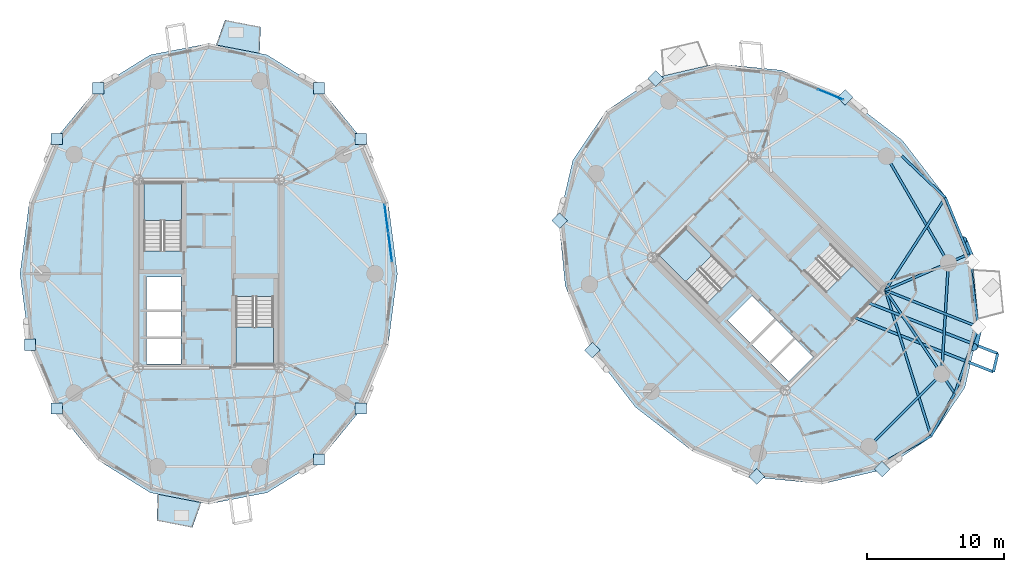
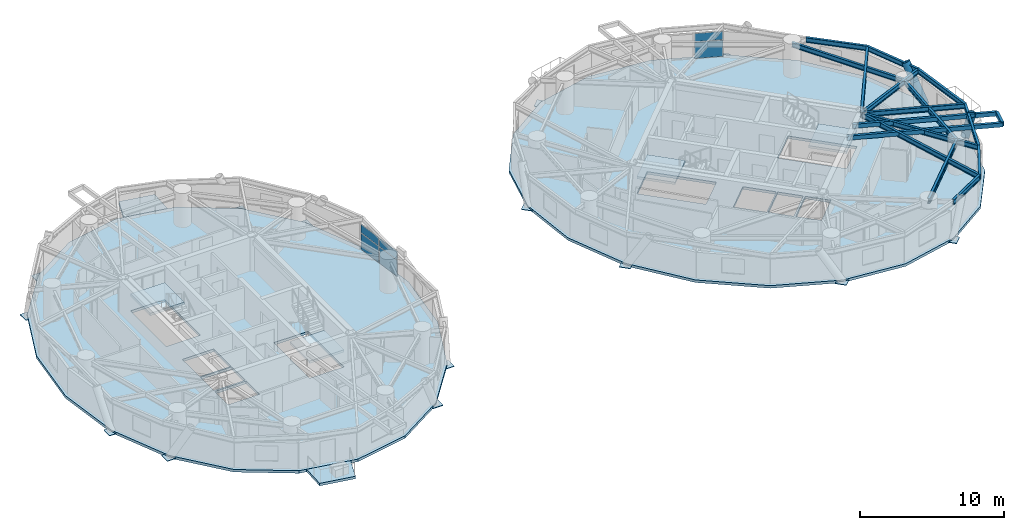
# One storey, part 8 of 19: 20 plates, 17 beams, 8 slabs, 2 members, 6 elements without a shape of their own.
"""IFC4 building model written with IfcOpenShell, lengths in metres."""

from ifc_helpers import new_model, si_unit, direction, frame, origin, origin_2d, place, context, subcontext, project, spatial, polyline, rectangle, hollow_rectangle, hollow_circle, i_section, outline, extrude, source, transform, mapped, material, layer, layer_set, material_profile, profile_set, type_object, element, aggregate, save


model = new_model("IFC4")

# Units and contexts
model_context = context("Model", 3, precision=1e-05, world=origin(), true_north=direction((0.0, 1.0)))
body_context = subcontext(model_context, "Body", "Model", "MODEL_VIEW")
ifc_project = project(units=[si_unit("LENGTHUNIT", "METRE"), si_unit("AREAUNIT", "SQUARE_METRE"), si_unit("VOLUMEUNIT", "CUBIC_METRE"), si_unit("PLANEANGLEUNIT", "RADIAN"), si_unit("MASSUNIT", "GRAM", prefix="KILO")], contexts=[model_context])

# Site, building, storey
site_placement = place(None, origin())
site = spatial("IfcSite", under=ifc_project, at=site_placement, CompositionType="ELEMENT")
building_placement = place(site_placement, origin())
building = spatial("IfcBuilding", under=site, at=building_placement, Name="Cununo Teusaquillo Station Towers", CompositionType="ELEMENT")
storey_placement = place(building_placement, frame((0.0, 0.0, 177.7900390625)))
storey = spatial("IfcBuildingStorey", under=building, at=storey_placement, Name="L56", CompositionType="ELEMENT", Elevation=177.7900390625)

# Beams
ifc_material_1 = material(Name="Steel EN 10025-2 S355J2", Category="steel")
ifc_material_profile_1 = material_profile(ifc_material_1, hollow_rectangle(XDim=0.199951171875, YDim=0.35009765625, WallThickness=0.013916015625, at=origin_2d()), Name="RHS 350x200x14")
ifc_profile_set_1 = profile_set([ifc_material_profile_1], Name="Steel EN 10025-2 S355J2")
beam_type_1 = type_object("IfcBeamType", Name="BM-BAL-CANT", PredefinedType="BEAM", material=ifc_profile_set_1)
beam_1_placement = place(storey_placement, frame((63.726318359375, 21.32177734375, 2.514892578125), z_axis=(0.93089493429, -0.36528703962, 0.0), x_axis=(0.36528703962, 0.93089493429, 0.0)))
element("IfcBeam", 1, at=beam_1_placement, inside=storey, type_object=beam_type_1, Name="L56 Tower B Balcony Cantilever Bracket 2A", PredefinedType="BEAM", context=body_context, shape_type="SweptSolid", body=[
    extrude(hollow_rectangle(XDim=0.199951171875, YDim=0.35009765625, WallThickness=0.013916015625, at=origin_2d()), origin(), (0.0, 0.0, 1.0), 10.958984375),
])
beam_2_placement = place(storey_placement, frame((64.781982421875, 22.377685546875, 2.514892578125), z_axis=(0.930897128362, -0.365281448211, 0.0), x_axis=(0.365281448211, 0.930897128362, 0.0)))
element("IfcBeam", 2, at=beam_2_placement, inside=storey, type_object=beam_type_1, Name="L56 Tower B Balcony Cantilever Bracket 2B", PredefinedType="BEAM", context=body_context, shape_type="SweptSolid", body=[
    extrude(hollow_rectangle(XDim=0.199951171875, YDim=0.35009765625, WallThickness=0.013916015625, at=origin_2d()), origin(), (0.0, 0.0, 1.0), 10.162353515625),
])
ifc_material_2 = material(Name="Steel ASTM A572 Grade 50", Category="steel")
ifc_material_profile_2 = material_profile(ifc_material_2, i_section(OverallWidth=0.180908203125, OverallDepth=0.4169921875, WebThickness=0.010986328125, FlangeThickness=0.018310546875, FilletRadius=0.012939453125, at=origin_2d()), Name="W16X57")
ifc_profile_set_2 = profile_set([ifc_material_profile_2], Name="Steel ASTM A572 Grade 50")
beam_type_2 = type_object("IfcBeamType", Name="BM-JOIST-1", PredefinedType="JOIST", material=ifc_profile_set_2)
beam_3_placement = place(storey_placement, frame((66.024169921875, 23.29443359375, 2.4814453125), z_axis=(0.29947962656, -0.954102695351, 0.0), x_axis=(0.954102695351, 0.29947962656, 0.0)))
element("IfcBeam", 3, at=beam_3_placement, inside=storey, type_object=beam_type_2, Name="L56 Tower B Radial Spandrel Joist V15", PredefinedType="JOIST", context=body_context, shape_type="SweptSolid", body=[
    extrude(i_section(OverallWidth=0.180908203125, OverallDepth=0.4169921875, WebThickness=0.010986328125, FlangeThickness=0.018310546875, FilletRadius=0.012939453125, at=origin_2d()), origin(), (0.0, 0.0, 1.0), 11.179931640625),
])
beam_4_placement = place(storey_placement, frame((66.024169921875, 23.29443359375, 2.4814453125), z_axis=(0.93009004426, -0.367331607091, 0.0), x_axis=(0.367331607091, 0.93009004426, 0.0)))
element("IfcBeam", 4, at=beam_4_placement, inside=storey, type_object=beam_type_2, Name="L56 Tower B Radial Spandrel Joist V17", PredefinedType="JOIST", context=body_context, shape_type="SweptSolid", body=[
    extrude(i_section(OverallWidth=0.180908203125, OverallDepth=0.4169921875, WebThickness=0.010986328125, FlangeThickness=0.018310546875, FilletRadius=0.012939453125, at=origin_2d()), origin(), (0.0, 0.0, 1.0), 7.306884765625),
])
beam_5_placement = place(storey_placement, frame((66.024169921875, 23.29443359375, 2.4814453125), z_axis=(0.543440395394, 0.839447756954, 0.0), x_axis=(-0.839447756954, 0.543440395394, 0.0)))
element("IfcBeam", 5, at=beam_5_placement, inside=storey, type_object=beam_type_2, Name="L56 Tower B Radial Spandrel Joist V19", PredefinedType="JOIST", context=body_context, shape_type="SweptSolid", body=[
    extrude(i_section(OverallWidth=0.180908203125, OverallDepth=0.4169921875, WebThickness=0.010986328125, FlangeThickness=0.018310546875, FilletRadius=0.012939453125, at=origin_2d()), origin(), (0.0, 0.0, 1.0), 8.08203125),
])
ifc_material_3 = material(Name="Steel ASTM A572 Grade 50", Category="steel")
ifc_material_profile_3 = material_profile(ifc_material_3, i_section(OverallWidth=0.180908203125, OverallDepth=0.4169921875, WebThickness=0.010986328125, FlangeThickness=0.018310546875, FilletRadius=0.012939453125, at=origin_2d()), Name="W16X57")
ifc_profile_set_3 = profile_set([ifc_material_profile_3], Name="Steel ASTM A572 Grade 50")
beam_type_3 = type_object("IfcBeamType", Name="BM-RAD-G2", PredefinedType="BEAM", material=ifc_profile_set_3)
beam_6_placement = place(storey_placement, frame((66.024169921875, 23.29443359375, 2.4814453125), z_axis=(0.558570989907, -0.829456719326, 0.0), x_axis=(0.829456719326, 0.558570989907, 0.0)))
element("IfcBeam", 6, at=beam_6_placement, inside=storey, type_object=beam_type_3, Name="L56 Tower B Continuous Overhanging Radial Girder 09", PredefinedType="BEAM", context=body_context, shape_type="SweptSolid", body=[
    extrude(i_section(OverallWidth=0.180908203125, OverallDepth=0.4169921875, WebThickness=0.010986328125, FlangeThickness=0.018310546875, FilletRadius=0.012939453125, at=origin_2d()), origin(), (0.0, 0.0, 1.0), 9.097412109375),
])
beam_7_placement = place(storey_placement, frame((66.024169921875, 23.29443359375, 2.4814453125), z_axis=(0.917664823247, 0.397355347486, 0.0), x_axis=(-0.397355347486, 0.917664823247, 0.0)))
element("IfcBeam", 7, at=beam_7_placement, inside=storey, type_object=beam_type_3, Name="L56 Tower B Continuous Overhanging Radial Girder 10", PredefinedType="BEAM", context=body_context, shape_type="SweptSolid", body=[
    extrude(i_section(OverallWidth=0.180908203125, OverallDepth=0.4169921875, WebThickness=0.010986328125, FlangeThickness=0.018310546875, FilletRadius=0.012939453125, at=origin_2d()), origin(), (0.0, 0.0, 1.0), 6.632080078125),
])
ifc_material_4 = material(Name="Steel ASTM A572 Grade 50", Category="steel")
ifc_material_profile_4 = material_profile(ifc_material_4, i_section(OverallWidth=0.180908203125, OverallDepth=0.4169921875, WebThickness=0.010986328125, FlangeThickness=0.018310546875, FilletRadius=0.012939453125, at=origin_2d()), Name="W16X57")
ifc_profile_set_4 = profile_set([ifc_material_profile_4], Name="Steel ASTM A572 Grade 50")
beam_type_4 = type_object("IfcBeamType", Name="BM-RING-Z3", PredefinedType="SPANDREL", material=ifc_profile_set_4)
beam_8_placement = place(storey_placement, frame((64.826904296875, 11.853759765625, 2.4814453125), z_axis=(0.707106781187, 0.707106781187, 0.0), x_axis=(-0.707106781187, 0.707106781187, 0.0)))
element("IfcBeam", 8, at=beam_8_placement, inside=storey, type_object=beam_type_4, Name="L56 Tower B Structural Column Ring Girder 08", PredefinedType="SPANDREL", context=body_context, shape_type="SweptSolid", body=[
    extrude(i_section(OverallWidth=0.180908203125, OverallDepth=0.4169921875, WebThickness=0.010986328125, FlangeThickness=0.018310546875, FilletRadius=0.012939453125, at=origin_2d()), origin(), (0.0, 0.0, 1.0), 7.522705078125),
])
beam_9_placement = place(storey_placement, frame((70.146240234375, 17.173095703125, 2.4814453125), z_axis=(0.06012979176, 0.998190567048, 0.0), x_axis=(-0.998190567048, 0.06012979176, 0.0)))
element("IfcBeam", 9, at=beam_9_placement, inside=storey, type_object=beam_type_4, Name="L56 Tower B Structural Column Ring Girder 09", PredefinedType="SPANDREL", context=body_context, shape_type="SweptSolid", body=[
    extrude(i_section(OverallWidth=0.180908203125, OverallDepth=0.4169921875, WebThickness=0.010986328125, FlangeThickness=0.018310546875, FilletRadius=0.012939453125, at=origin_2d()), origin(), (0.0, 0.0, 1.0), 8.132568359375),
])
beam_10_placement = place(storey_placement, frame((70.63525390625, 25.291015625, 2.4814453125), z_axis=(-0.501311121078, 0.865267103202, 0.0), x_axis=(-0.865267103202, -0.501311121078, 0.0)))
element("IfcBeam", 10, at=beam_10_placement, inside=storey, type_object=beam_type_4, Name="L56 Tower B Structural Column Ring Girder 10", PredefinedType="SPANDREL", context=body_context, shape_type="SweptSolid", body=[
    extrude(i_section(OverallWidth=0.180908203125, OverallDepth=0.4169921875, WebThickness=0.010986328125, FlangeThickness=0.018310546875, FilletRadius=0.012939453125, at=origin_2d()), origin(), (0.0, 0.0, 1.0), 9.032958984375),
])
for number, where, z_axis, x_axis, name in (
    (11, (66.25146484375, 10.894287109375, 2.4814453125), (0.874205659621, 0.485555830659, 0.0), (-0.485555830659, 0.874205659621, 0.0), "L56 Tower B Spandrel Ring Beam 15"),
    (12, (69.372314453125, 12.627685546875, 2.4814453125), (0.485555830659, 0.874205659621, 0.0), (-0.874205659621, 0.485555830659, 0.0), "L56 Tower B Spandrel Ring Beam 16"),
):
    element("IfcBeam", number, at=place(storey_placement, frame(where, z_axis=z_axis, x_axis=x_axis)), inside=storey, type_object=beam_type_4, Name=name, PredefinedType="SPANDREL", context=body_context, shape_type="SweptSolid", body=[
        extrude(i_section(OverallWidth=0.180908203125, OverallDepth=0.4169921875, WebThickness=0.010986328125, FlangeThickness=0.018310546875, FilletRadius=0.012939453125, at=origin_2d()), origin(), (0.0, 0.0, 1.0), 3.56982421875),
    ])
beam_11_placement = place(storey_placement, frame((71.105712890625, 15.74853515625, 2.4814453125), z_axis=(0.332589733158, 0.943071614141, 0.0), x_axis=(-0.943071614141, 0.332589733158, 0.0)))
element("IfcBeam", 13, at=beam_11_placement, inside=storey, type_object=beam_type_4, Name="L56 Tower B Spandrel Ring Beam 17", PredefinedType="SPANDREL", context=body_context, shape_type="SweptSolid", body=[
    extrude(i_section(OverallWidth=0.180908203125, OverallDepth=0.4169921875, WebThickness=0.010986328125, FlangeThickness=0.018310546875, FilletRadius=0.012939453125, at=origin_2d()), origin(), (0.0, 0.0, 1.0), 5.1552734375),
])
beam_12_placement = place(storey_placement, frame((72.8203125, 20.6103515625, 2.4814453125), z_axis=(-0.132339532096, 0.991204443213, 0.0), x_axis=(-0.991204443213, -0.132339532096, 0.0)))
element("IfcBeam", 14, at=beam_12_placement, inside=storey, type_object=beam_type_4, Name="L56 Tower B Spandrel Ring Beam 18", PredefinedType="SPANDREL", context=body_context, shape_type="SweptSolid", body=[
    extrude(i_section(OverallWidth=0.180908203125, OverallDepth=0.4169921875, WebThickness=0.010986328125, FlangeThickness=0.018310546875, FilletRadius=0.012939453125, at=origin_2d()), origin(), (0.0, 0.0, 1.0), 5.366455078125),
])
beam_13_placement = place(storey_placement, frame((72.110107421875, 25.9296875, 2.4814453125), z_axis=(-0.377956082264, 0.925823525235, 0.0), x_axis=(-0.925823525235, -0.377956082264, 0.0)))
element("IfcBeam", 15, at=beam_13_placement, inside=storey, type_object=beam_type_4, Name="L56 Tower B Spandrel Ring Beam 19", PredefinedType="SPANDREL", context=body_context, shape_type="SweptSolid", body=[
    extrude(i_section(OverallWidth=0.180908203125, OverallDepth=0.4169921875, WebThickness=0.010986328125, FlangeThickness=0.018310546875, FilletRadius=0.012939453125, at=origin_2d()), origin(), (0.0, 0.0, 1.0), 4.481689453125),
])
beam_14_placement = place(storey_placement, frame((70.416259765625, 30.078857421875, 2.4814453125), z_axis=(-0.723501643849, 0.690322657421, 0.0), x_axis=(-0.690322657421, -0.723501643849, 0.0)))
element("IfcBeam", 16, at=beam_14_placement, inside=storey, type_object=beam_type_4, Name="L56 Tower B Spandrel Ring Beam 20", PredefinedType="SPANDREL", context=body_context, shape_type="SweptSolid", body=[
    extrude(i_section(OverallWidth=0.180908203125, OverallDepth=0.4169921875, WebThickness=0.010986328125, FlangeThickness=0.018310546875, FilletRadius=0.012939453125, at=origin_2d()), origin(), (0.0, 0.0, 1.0), 4.400146484375),
])
ifc_material_5 = material(Name="Steel EN 10025-2 S355J2", Category="steel")
ifc_material_profile_5 = material_profile(ifc_material_5, hollow_rectangle(XDim=0.199951171875, YDim=0.35009765625, WallThickness=0.013916015625, at=origin_2d()), Name="RHS 350x200x14")
ifc_profile_set_5 = profile_set([ifc_material_profile_5], Name="Steel EN 10025-2 S355J2")
beam_type_5 = type_object("IfcBeamType", Name="BM-STAIR-TRIM", PredefinedType="BEAM", material=ifc_profile_set_5)
beam_15_placement = place(storey_placement, frame((73.927978515625, 17.318603515625, 2.52490234375), z_axis=(0.227179394005, 0.97385292675, 0.0), x_axis=(-0.97385292675, 0.227179394005, 0.0)))
element("IfcBeam", 17, at=beam_15_placement, inside=storey, type_object=beam_type_5, Name="L56 Tower B Balcony Edge Trimmer Beam 2", PredefinedType="BEAM", context=body_context, shape_type="SweptSolid", body=[
    extrude(hollow_rectangle(XDim=0.199951171875, YDim=0.35009765625, WallThickness=0.013916015625, at=origin_2d()), origin(), (0.0, 0.0, 1.0), 1.383056640625),
])

# Members
ifc_material_6 = material(Name="Steel EN 10025-2 S355J2", Category="steel")
ifc_material_profile_6 = material_profile(ifc_material_6, hollow_circle(Radius=0.304931640625, WallThickness=0.02001953125, at=origin_2d()), Name="CHS 610x20")
ifc_profile_set_6 = profile_set([ifc_material_profile_6], Name="Steel EN 10025-2 S355J2")
member_type = type_object("IfcMemberType", Name="MBR-DIAG-Z3", PredefinedType="BRACE", material=ifc_profile_set_6)
member_1_placement = place(storey_placement, frame((72.8203125, 20.6103515625, -0.14013671875), z_axis=(-0.104252251672, -0.447338289341, 0.88826793419), x_axis=(0.973902205409, -0.226968046871, 0.0)))
element("IfcMember", 18, at=member_1_placement, inside=storey, type_object=member_type, Name="L56 Tower B Folded-Zigzag Diagrid Tube C16", PredefinedType="BRACE", context=body_context, shape_type="SweptSolid", body=[
    extrude(hollow_circle(Radius=0.304931640625, WallThickness=0.02001953125, at=origin_2d()), origin(), (0.0, 0.0, 1.0), 3.276123046875),
])
member_2_placement = place(storey_placement, frame((72.3447265625, 25.38818359375, -0.14013671875), z_axis=(-0.191002664799, 0.464557943552, 0.864698733157), x_axis=(-0.924878366582, -0.380263076079, 0.0)))
element("IfcMember", 19, at=member_2_placement, inside=storey, type_object=member_type, Name="L56 Tower B Folded-Zigzag Diagrid Tube C18", PredefinedType="BRACE", context=body_context, shape_type="SweptSolid", body=[
    extrude(hollow_circle(Radius=0.304931640625, WallThickness=0.02001953125, at=origin_2d()), origin(), (0.0, 0.0, 1.0), 3.365478515625),
])

# Slabs
ifc_material_7 = material(Name="Concrete C50/60", Category="concrete")
ifc_layer_1 = layer(ifc_material_7, 0.2099609375)
ifc_layer_set_1 = layer_set([ifc_layer_1], Name="Concrete C50/60")
slab_type_1 = type_object("IfcSlabType", Name="SLB-BAL-210", PredefinedType="FLOOR", material=ifc_layer_set_1)
slab_1_placement = place(storey_placement, frame((0.0, 0.0, -0.2099609375)))
element("IfcSlab", 20, at=slab_1_placement, inside=storey, type_object=slab_type_1, Name="L56 Tower A Tree Balcony Slab 1", PredefinedType="FLOOR", context=body_context, shape_type="SweptSolid", body=[
    extrude(outline(polyline([(20.228759765625, 40.634521484375), (17.041015625, 41.25048828125), (17.69873046875, 43.073974609375), (20.297607421875, 42.57177734375), (20.228759765625, 40.634521484375)])), origin(), (0.0, 0.0, 1.0), 0.2099609375),
])
slab_2_placement = place(storey_placement, frame((0.0, 0.0, -0.2099609375)))
element("IfcSlab", 21, at=slab_2_placement, inside=storey, type_object=slab_type_1, Name="L56 Tower A Tree Balcony Slab 2", PredefinedType="FLOOR", context=body_context, shape_type="SweptSolid", body=[
    extrude(outline(polyline([(12.771240234375, 8.365478515625), (15.958984375, 7.74951171875), (15.30126953125, 5.926025390625), (12.702392578125, 6.42822265625), (12.771240234375, 8.365478515625)])), origin(), (0.0, 0.0, 1.0), 0.2099609375),
])

# Stair, slab
ifc_material_8 = material(Name="Concrete C50/60", Category="concrete")
stair_type = type_object("IfcStairType", Name="ST-TWR-1300", PredefinedType="HALF_TURN_STAIR", material=ifc_material_8)
stair_1_placement = place(storey_placement, origin())
stair_1 = element("IfcStair", 22, at=stair_1_placement, inside=storey, type_object=stair_type, Name="L56 Tower A Protected Core Exit Stair 1", PredefinedType="HALF_TURN_STAIR")
ifc_material_9 = material(Name="Concrete C50/60", Category="concrete")
ifc_layer_2 = layer(ifc_material_9, 0.199951171875)
ifc_layer_set_2 = layer_set([ifc_layer_2], Name="Concrete C50/60")
slab_type_2 = type_object("IfcSlabType", Name="SLB-STAIR-LND", PredefinedType="LANDING", material=ifc_layer_set_2)
slab_3_placement = place(storey_placement, frame((0.0, 0.0, 1.2548828125)))
slab_3 = element("IfcSlab", 23, at=slab_3_placement, type_object=slab_type_2, Name="ST-T1-1 landing 1", PredefinedType="LANDING", context=body_context, shape_type="SweptSolid", body=[
    extrude(outline(polyline([(14.52001953125, 28.409912109375), (14.52001953125, 31.159912109375), (11.760009765625, 31.159912109375), (11.760009765625, 28.409912109375), (14.52001953125, 28.409912109375)])), origin(), (0.0, 0.0, 1.0), 0.2001953125),
])
aggregate(stair_1, [slab_3])

stair_2_placement = place(storey_placement, origin())
stair_2 = element("IfcStair", 24, at=stair_2_placement, inside=storey, type_object=stair_type, Name="L56 Tower A Protected Core Exit Stair 2", PredefinedType="HALF_TURN_STAIR")
slab_4_placement = place(storey_placement, frame((0.0, 0.0, 1.2548828125)))
slab_4 = element("IfcSlab", 25, at=slab_4_placement, type_object=slab_type_2, Name="ST-T1-2 landing 1", PredefinedType="LANDING", context=body_context, shape_type="SweptSolid", body=[
    extrude(outline(polyline([(18.47998046875, 20.590087890625), (18.47998046875, 17.840087890625), (21.239990234375, 17.840087890625), (21.239990234375, 20.590087890625), (18.47998046875, 20.590087890625)])), origin(), (0.0, 0.0, 1.0), 0.2001953125),
])
aggregate(stair_2, [slab_4])

stair_3_placement = place(storey_placement, origin())
stair_3 = element("IfcStair", 26, at=stair_3_placement, inside=storey, type_object=stair_type, Name="L56 Tower B Protected Core Exit Stair 1", PredefinedType="HALF_TURN_STAIR")
slab_5_placement = place(storey_placement, frame((0.0, 0.0, 1.2548828125)))
slab_5 = element("IfcSlab", 27, at=slab_5_placement, type_object=slab_type_2, Name="ST-T2-1 landing 1", PredefinedType="LANDING", context=body_context, shape_type="SweptSolid", body=[
    extrude(outline(polyline([(53.335205078125, 25.86474609375), (51.390625, 27.809326171875), (49.43896484375, 25.857666015625), (51.383544921875, 23.9130859375), (53.335205078125, 25.86474609375)])), origin(), (0.0, 0.0, 1.0), 0.2001953125),
])
aggregate(stair_3, [slab_5])

stair_4_placement = place(storey_placement, origin())
stair_4 = element("IfcStair", 28, at=stair_4_placement, inside=storey, type_object=stair_type, Name="L56 Tower B Protected Core Exit Stair 2", PredefinedType="HALF_TURN_STAIR")
slab_6_placement = place(storey_placement, frame((0.0, 0.0, 1.2548828125)))
slab_6 = element("IfcSlab", 29, at=slab_6_placement, type_object=slab_type_2, Name="ST-T2-2 landing 1", PredefinedType="LANDING", context=body_context, shape_type="SweptSolid", body=[
    extrude(outline(polyline([(61.664794921875, 23.13525390625), (63.609375, 21.190673828125), (65.56103515625, 23.142333984375), (63.616455078125, 25.0869140625), (61.664794921875, 23.13525390625)])), origin(), (0.0, 0.0, 1.0), 0.2001953125),
])
aggregate(stair_4, [slab_6])

# Slabs
ifc_material_10 = material(Name="Concrete C40/50", Category="concrete")
ifc_layer_3 = layer(ifc_material_10, 0.219970703125)
ifc_layer_set_3 = layer_set([ifc_layer_3], Name="Concrete C40/50")
slab_type_3 = type_object("IfcSlabType", Name="SLB-Z3-220", PredefinedType="FLOOR", material=ifc_layer_set_3)
slab_7_placement = place(storey_placement, frame((0.0, 0.0, -0.219970703125)))
element("IfcSlab", 30, at=slab_7_placement, inside=storey, type_object=slab_type_3, Name="L56 Tower A Floor Slab", PredefinedType="FLOOR", context=body_context, shape_type="SweptSolid", body=[
    extrude(outline(polyline([(30.31103515625, 24.5), (29.635009765625, 29.706787109375), (27.67333984375, 34.404296875), (24.617919921875, 38.1318359375), (20.767822265625, 40.525390625), (16.5, 41.35009765625), (12.232177734375, 40.525390625), (8.382080078125, 38.1318359375), (5.32666015625, 34.404296875), (3.364990234375, 29.706787109375), (2.68896484375, 24.5), (3.364990234375, 19.293212890625), (5.32666015625, 14.595703125), (8.382080078125, 10.8681640625), (12.232177734375, 8.474609375), (16.5, 7.64990234375), (20.767822265625, 8.474609375), (24.617919921875, 10.8681640625), (27.67333984375, 14.595703125), (29.635009765625, 19.293212890625), (30.31103515625, 24.5)]), holes=[polyline([(14.52001953125, 26.176025390625), (14.52001953125, 31.159912109375), (11.760009765625, 31.159912109375), (11.760009765625, 26.176025390625), (14.52001953125, 26.176025390625)]), polyline([(18.47998046875, 22.823974609375), (18.47998046875, 17.840087890625), (21.239990234375, 17.840087890625), (21.239990234375, 22.823974609375), (18.47998046875, 22.823974609375)]), polyline([(11.949951171875, 21.85009765625), (14.47998046875, 21.85009765625), (14.47998046875, 24.25), (11.949951171875, 24.25), (11.949951171875, 21.85009765625)]), polyline([(11.949951171875, 17.89990234375), (14.47998046875, 17.89990234375), (14.47998046875, 19.75), (11.949951171875, 19.75), (11.949951171875, 17.89990234375)]), polyline([(11.949951171875, 19.89990234375), (14.47998046875, 19.89990234375), (14.47998046875, 21.75), (11.949951171875, 21.75), (11.949951171875, 19.89990234375)])]), origin(), (0.0, 0.0, 1.0), 0.219970703125),
])
slab_8_placement = place(storey_placement, frame((0.0, 0.0, -0.219970703125)))
element("IfcSlab", 31, at=slab_8_placement, inside=storey, type_object=slab_type_3, Name="L56 Tower B Floor Slab", PredefinedType="FLOOR", context=body_context, shape_type="SweptSolid", body=[
    extrude(outline(polyline([(67.265869140625, 34.265869140625), (63.10595703125, 37.4697265625), (58.3974609375, 39.404052734375), (53.60107421875, 39.87939453125), (49.186279296875, 38.849365234375), (45.585205078125, 36.414794921875), (43.150634765625, 32.813720703125), (42.12060546875, 28.39892578125), (42.595947265625, 23.6025390625), (44.5302734375, 18.89404296875), (47.734130859375, 14.734130859375), (51.89404296875, 11.5302734375), (56.6025390625, 9.595947265625), (61.39892578125, 9.12060546875), (65.813720703125, 10.150634765625), (69.414794921875, 12.585205078125), (71.849365234375, 16.186279296875), (72.87939453125, 20.60107421875), (72.404052734375, 25.3974609375), (70.4697265625, 30.10595703125), (67.265869140625, 34.265869140625)]), holes=[polyline([(54.914794921875, 24.28515625), (51.390625, 27.809326171875), (49.43896484375, 25.857666015625), (52.963134765625, 22.33349609375), (54.914794921875, 24.28515625)]), polyline([(60.085205078125, 24.71484375), (63.609375, 21.190673828125), (65.56103515625, 23.142333984375), (62.036865234375, 26.66650390625), (60.085205078125, 24.71484375)]), polyline([(56.156494140625, 19.40869140625), (57.945556640625, 21.19775390625), (56.248291015625, 22.89501953125), (54.45947265625, 21.10595703125), (56.156494140625, 19.40869140625)]), polyline([(58.94970703125, 16.61572265625), (60.738525390625, 18.40478515625), (59.430419921875, 19.712890625), (57.641357421875, 17.923828125), (58.94970703125, 16.61572265625)]), polyline([(57.535400390625, 18.030029296875), (59.32421875, 19.819091796875), (58.01611328125, 21.127197265625), (56.227294921875, 19.338134765625), (57.535400390625, 18.030029296875)])]), origin(), (0.0, 0.0, 1.0), 0.219970703125),
])

# Plates
ifc_material_11 = material(Name="Steel ASTM A572 Grade 50", Category="steel")
ifc_layer_4 = layer(ifc_material_11, 0.044921875)
ifc_layer_set_4 = layer_set([ifc_layer_4], Name="Steel ASTM A572 Grade 50")
plate_type_1 = type_object("IfcPlateType", Name="PLT-NODE-DN2", PredefinedType="USERDEFINED", material=ifc_layer_set_4)
shared_shape_1 = source(origin(), body_context, "Body", "SweptSolid", [
    extrude(rectangle(XDim=0.820068359375, YDim=0.820068359375, at=origin_2d()), origin(), (0.0, 0.0, 1.0), 0.044921875),
])
for number, where, z_axis, x_axis, name in (
    (32, (27.624755859375, 34.368896484375, -0.16259765625), (0.0, 0.0, 1.0), (1.0, 0.0, 0.0), "L56 Tower A Diagrid Node Assembly C01"),
    (33, (24.58251953125, 38.08349609375, -0.16259765625), (0.0, 0.0, 1.0), (1.0, 0.0, 0.0), "L56 Tower A Diagrid Node Assembly C03"),
    (34, (8.41748046875, 38.08349609375, -0.16259765625), (0.0, 0.0, 1.0), (1.0, 0.0, 0.0), "L56 Tower A Diagrid Node Assembly C06"),
    (35, (5.375244140625, 34.368896484375, -0.16259765625), (0.0, 0.0, 1.0), (1.0, 0.0, 0.0), "L56 Tower A Diagrid Node Assembly C08"),
    (36, (3.422119140625, 19.3115234375, -0.16259765625), (0.0, 0.0, 1.0), (1.0, 0.0, 0.0), "L56 Tower A Diagrid Node Assembly C10"),
    (37, (5.375244140625, 14.631103515625, -0.16259765625), (0.0, 0.0, 1.0), (1.0, 0.0, 0.0), "L56 Tower A Diagrid Node Assembly C12"),
    (38, (24.58251953125, 10.91650390625, -0.16259765625), (0.0, 0.0, 1.0), (1.0, 0.0, 0.0), "L56 Tower A Diagrid Node Assembly C16"),
    (39, (27.624755859375, 14.631103515625, -0.16259765625), (0.0, 0.0, 1.0), (1.0, 0.0, 0.0), "L56 Tower A Diagrid Node Assembly C18"),
    (40, (63.078857421875, 37.416259765625, -0.16259765625), (0.0, 0.0, 1.0), (0.707106781187, 0.707106781187, 0.0), "L56 Tower B Diagrid Node Assembly C00"),
    (41, (49.21337890625, 38.7958984375, -0.16259765625), (0.0, 0.0, 1.0), (0.707106781187, 0.707106781187, 0.0), "L56 Tower B Diagrid Node Assembly C04"),
    (42, (42.1796875, 28.3896484375, -0.16259765625), (0.0, 0.0, 1.0), (0.707106781187, 0.707106781187, 0.0), "L56 Tower B Diagrid Node Assembly C06"),
    (43, (44.583740234375, 18.921142578125, -0.16259765625), (0.0, 0.0, 1.0), (0.707106781187, 0.707106781187, 0.0), "L56 Tower B Diagrid Node Assembly C09"),
    (44, (56.61181640625, 9.6552734375, -0.16259765625), (0.0, 0.0, 1.0), (0.707106781187, 0.707106781187, 0.0), "L56 Tower B Diagrid Node Assembly C11"),
    (45, (65.78662109375, 10.2041015625, -0.16259765625), (0.0, 0.0, 1.0), (0.707106781187, 0.707106781187, 0.0), "L56 Tower B Diagrid Node Assembly C14"),
):
    element("IfcPlate", number, at=place(storey_placement, frame(where, z_axis=z_axis, x_axis=x_axis)), inside=storey, type_object=plate_type_1, Name=name, ObjectType="GUSSET PLATE", PredefinedType="USERDEFINED", context=body_context, shape_type="MappedRepresentation", body=[
        mapped(shared_shape_1, transform((0.0, 0.0, 0.0), x_axis=(1.0, 0.0, 0.0), y_axis=(0.0, 1.0, 0.0), z_axis=(0.0, 0.0, 1.0), scale=1.0)),
    ])

# Curtain wall, plates
ifc_material_12 = material(Name="Operable acoustic tinted low-E double glazing", Category="glass")
ifc_layer_5 = layer(ifc_material_12, 0.179931640625)
ifc_layer_set_5 = layer_set([ifc_layer_5], Name="Operable acoustic tinted low-E double glazing")
curtain_wall_type = type_object("IfcCurtainWallType", Name="CW-SYS-06", PredefinedType="USERDEFINED", material=ifc_layer_set_5)
curtain_wall_1_placement = place(storey_placement, origin())
curtain_wall_1 = element("IfcCurtainWall", 46, at=curtain_wall_1_placement, inside=storey, type_object=curtain_wall_type, Name="L56 Tower A Facade Curtain Wall C00", ObjectType="OPERABLE GLAZING", PredefinedType="USERDEFINED")
ifc_material_13 = material(Name="Operable acoustic tinted low-E double glazing", Category="glass")
ifc_layer_6 = layer(ifc_material_13, 0.031982421875)
ifc_layer_set_6 = layer_set([ifc_layer_6], Name="Operable acoustic tinted low-E double glazing")
plate_type_2 = type_object("IfcPlateType", Name="CWP-OPER-32", PredefinedType="CURTAIN_PANEL", material=ifc_layer_set_6)
shared_shape_2 = source(origin(), body_context, "Body", "SweptSolid", [
    extrude(rectangle(XDim=2.05908203125, YDim=0.031982421875, at=origin_2d()), origin(), (0.0, 0.0, 1.0), 1.361572265625),
])
plate_1_placement = place(storey_placement, frame((29.509033203125, 28.534912109375, 0.06494140625), z_axis=(0.0, 0.0, 1.0), x_axis=(0.128285462927, -0.991737283761, 0.0)))
plate_1 = element("IfcPlate", 47, at=plate_1_placement, type_object=plate_type_2, Name="CW-06 panel 1.1", PredefinedType="CURTAIN_PANEL", context=body_context, shape_type="MappedRepresentation", body=[
    mapped(shared_shape_2, transform((0.0, 0.0, 0.0), x_axis=(1.0, 0.0, 0.0), y_axis=(0.0, 1.0, 0.0), z_axis=(0.0, 0.0, 1.0), scale=1.0)),
])
plate_2_placement = place(storey_placement, frame((29.781494140625, 26.428466796875, 0.06494140625), z_axis=(0.0, 0.0, 1.0), x_axis=(0.128285462927, -0.991737283761, 0.0)))
plate_2 = element("IfcPlate", 48, at=plate_2_placement, type_object=plate_type_2, Name="CW-06 panel 2.1", PredefinedType="CURTAIN_PANEL", context=body_context, shape_type="MappedRepresentation", body=[
    mapped(shared_shape_2, transform((0.0, 0.0, 0.0), x_axis=(1.0, 0.0, 0.0), y_axis=(0.0, 1.0, 0.0), z_axis=(0.0, 0.0, 1.0), scale=1.0)),
])
shared_shape_3 = source(origin(), body_context, "Body", "SweptSolid", [
    extrude(rectangle(XDim=2.05908203125, YDim=0.031982421875, at=origin_2d()), origin(), (0.0, 0.0, 1.0), 0.6884765625),
])
plate_3_placement = place(storey_placement, frame((29.509033203125, 28.534912109375, 1.491455078125), z_axis=(0.0, 0.0, 1.0), x_axis=(0.128285462927, -0.991737283761, 0.0)))
plate_3 = element("IfcPlate", 49, at=plate_3_placement, type_object=plate_type_2, Name="CW-06 panel 1.2", PredefinedType="CURTAIN_PANEL", context=body_context, shape_type="MappedRepresentation", body=[
    mapped(shared_shape_3, transform((0.0, 0.0, 0.0), x_axis=(1.0, 0.0, 0.0), y_axis=(0.0, 1.0, 0.0), z_axis=(0.0, 0.0, 1.0), scale=1.0)),
])
plate_4_placement = place(storey_placement, frame((29.781494140625, 26.428466796875, 1.491455078125), z_axis=(0.0, 0.0, 1.0), x_axis=(0.128285462927, -0.991737283761, 0.0)))
plate_4 = element("IfcPlate", 50, at=plate_4_placement, type_object=plate_type_2, Name="CW-06 panel 2.2", PredefinedType="CURTAIN_PANEL", context=body_context, shape_type="MappedRepresentation", body=[
    mapped(shared_shape_3, transform((0.0, 0.0, 0.0), x_axis=(1.0, 0.0, 0.0), y_axis=(0.0, 1.0, 0.0), z_axis=(0.0, 0.0, 1.0), scale=1.0)),
])
aggregate(curtain_wall_1, [plate_1, plate_3, plate_2, plate_4])

curtain_wall_2_placement = place(storey_placement, origin())
curtain_wall_2 = element("IfcCurtainWall", 51, at=curtain_wall_2_placement, inside=storey, type_object=curtain_wall_type, Name="L56 Tower B Facade Curtain Wall C01", ObjectType="OPERABLE GLAZING", PredefinedType="USERDEFINED")
shared_shape_4 = source(origin(), body_context, "Body", "SweptSolid", [
    extrude(rectangle(XDim=1.97900390625, YDim=0.031982421875, at=origin_2d()), origin(), (0.0, 0.0, 1.0), 1.361572265625),
])
plate_5_placement = place(storey_placement, frame((62.00390625, 37.622314453125, 0.06494140625), z_axis=(0.0, 0.0, 1.0), x_axis=(0.924480504803, -0.381229322376, 0.0)))
plate_5 = element("IfcPlate", 52, at=plate_5_placement, type_object=plate_type_2, Name="CW-06 panel 2.1", PredefinedType="CURTAIN_PANEL", context=body_context, shape_type="MappedRepresentation", body=[
    mapped(shared_shape_4, transform((0.0, 0.0, 0.0), x_axis=(1.0, 0.0, 0.0), y_axis=(0.0, 1.0, 0.0), z_axis=(0.0, 0.0, 1.0), scale=1.0)),
])
shared_shape_5 = source(origin(), body_context, "Body", "SweptSolid", [
    extrude(rectangle(XDim=1.97900390625, YDim=0.031982421875, at=origin_2d()), origin(), (0.0, 0.0, 1.0), 0.6884765625),
])
plate_6_placement = place(storey_placement, frame((62.00390625, 37.622314453125, 1.491455078125), z_axis=(0.0, 0.0, 1.0), x_axis=(0.924480504803, -0.381229322376, 0.0)))
plate_6 = element("IfcPlate", 53, at=plate_6_placement, type_object=plate_type_2, Name="CW-06 panel 2.2", PredefinedType="CURTAIN_PANEL", context=body_context, shape_type="MappedRepresentation", body=[
    mapped(shared_shape_5, transform((0.0, 0.0, 0.0), x_axis=(1.0, 0.0, 0.0), y_axis=(0.0, 1.0, 0.0), z_axis=(0.0, 0.0, 1.0), scale=1.0)),
])
aggregate(curtain_wall_2, [plate_5, plate_6])

save(model, "model.ifc")
